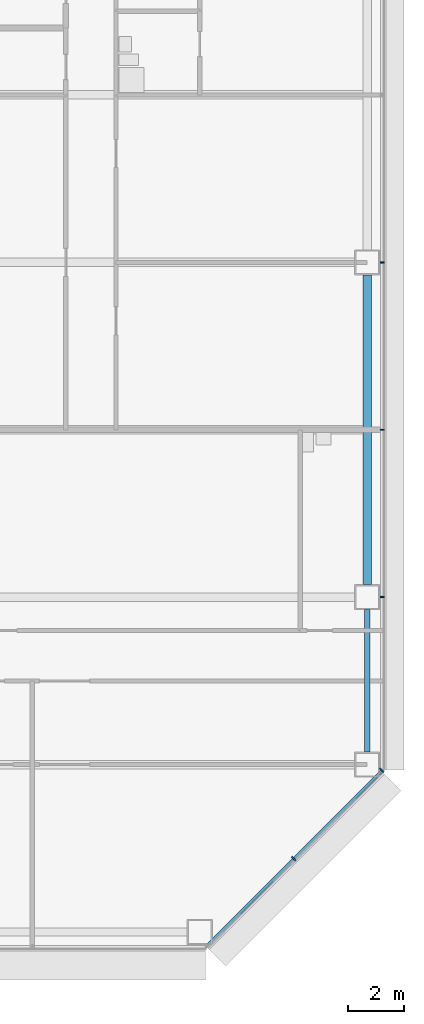
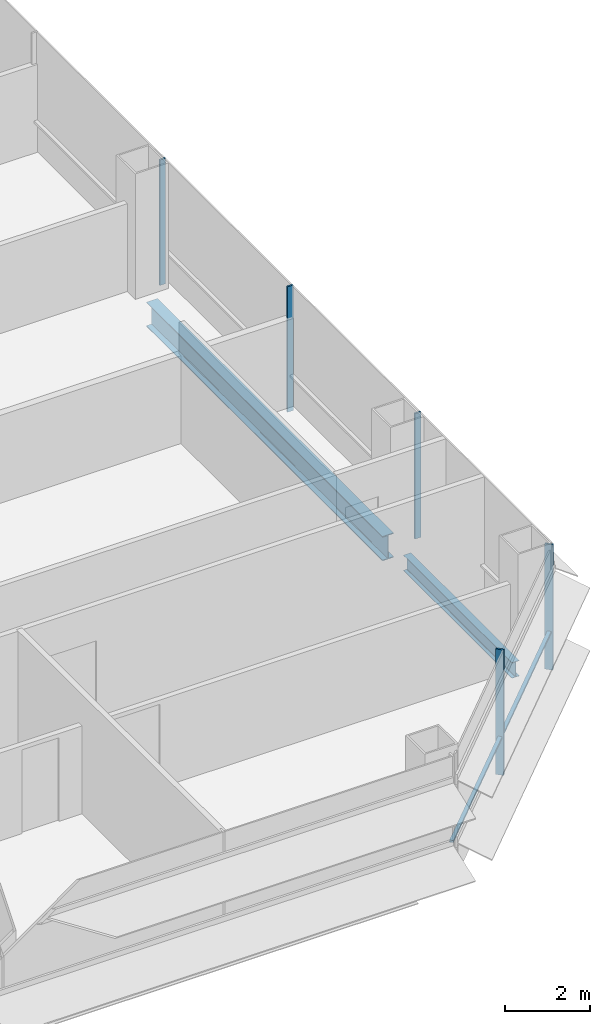
# One storey, part 16 of 27: 6 members, 2 beams, 2 elements without a shape of their own.
"""IFC4 building model written with IfcOpenShell, lengths in metres."""

from ifc_helpers import new_model, si_unit, direction, frame, origin, origin_2d, place, context, subcontext, project, spatial, rectangle, i_section, extrude, material, material_profile, profile_set, type_object, element, aggregate, save


model = new_model("IFC4")

# Units and contexts
model_context = context("Model", 3, precision=1e-05, world=origin(), true_north=direction((0.0, 1.0)))
body_context = subcontext(model_context, "Body", "Model", "MODEL_VIEW")
ifc_project = project(units=[si_unit("LENGTHUNIT", "METRE"), si_unit("AREAUNIT", "SQUARE_METRE"), si_unit("VOLUMEUNIT", "CUBIC_METRE"), si_unit("PLANEANGLEUNIT", "RADIAN"), si_unit("MASSUNIT", "GRAM", prefix="KILO")], contexts=[model_context])

# Site, building, storey
site_placement = place(None, origin())
site = spatial("IfcSite", under=ifc_project, at=site_placement, CompositionType="ELEMENT")
building_placement = place(site_placement, origin())
building = spatial("IfcBuilding", under=site, at=building_placement, Name="Sorahane Residences", CompositionType="ELEMENT")
storey_placement = place(building_placement, frame((0.0, 0.0, 78.60009765625)))
storey = spatial("IfcBuildingStorey", under=building, at=storey_placement, Name="L16", CompositionType="ELEMENT", Elevation=78.60009765625)

# Curtain wall, members
ifc_material_1 = material(Name="Dark low-e glass and black anodised aluminium", Category="aluminium")
curtain_wall_type_1 = type_object("IfcCurtainWallType", Name="Curtain wall CW-1 Typical unitised wall", PredefinedType="NOTDEFINED", material=ifc_material_1)
curtain_wall_1_placement = place(storey_placement, origin())
curtain_wall_1 = element("IfcCurtainWall", 1, at=curtain_wall_1_placement, inside=storey, type_object=curtain_wall_type_1, Name="CW-1 curtain wall L16 E1", PredefinedType="NOTDEFINED")
ifc_material_2 = material(Name="Black anodised aluminium", Category="aluminium")
ifc_material_profile_1 = material_profile(ifc_material_2, rectangle(XDim=0.159912109375, YDim=0.050048828125, at=origin_2d()), Name="Curtain wall mullion CW-1 black anodised aluminium 50x160")
ifc_profile_set_1 = profile_set([ifc_material_profile_1], Name="Black anodised aluminium")
member_type_1 = type_object("IfcMemberType", Name="Curtain wall mullion CW-1 black anodised aluminium 50x160", PredefinedType="MULLION", material=ifc_profile_set_1)
member_1_placement = place(storey_placement, frame((66.5400390625, 12.0, -0.18017578125), z_axis=(0.0, 0.0, 1.0), x_axis=(1.0, 0.0, 0.0)))
member_1 = element("IfcMember", 2, at=member_1_placement, type_object=member_type_1, Name="CW-1 mullion L16 E1.2", PredefinedType="MULLION", context=body_context, shape_type="SweptSolid", body=[
    extrude(rectangle(XDim=0.159912109375, YDim=0.050048828125, at=origin_2d()), origin(), (0.0, 0.0, 1.0), 3.60009765625),
])
member_2_placement = place(storey_placement, frame((66.5400390625, 18.0, -0.18017578125), z_axis=(0.0, 0.0, 1.0), x_axis=(1.0, 0.0, 0.0)))
member_2 = element("IfcMember", 3, at=member_2_placement, type_object=member_type_1, Name="CW-1 mullion L16 E1.3", PredefinedType="MULLION", context=body_context, shape_type="SweptSolid", body=[
    extrude(rectangle(XDim=0.159912109375, YDim=0.050048828125, at=origin_2d()), origin(), (0.0, 0.0, 1.0), 3.60009765625),
])
member_3_placement = place(storey_placement, frame((66.5400390625, 24.0, -0.18017578125), z_axis=(0.0, 0.0, 1.0), x_axis=(1.0, 0.0, 0.0)))
member_3 = element("IfcMember", 4, at=member_3_placement, type_object=member_type_1, Name="CW-1 mullion L16 E1.4", PredefinedType="MULLION", context=body_context, shape_type="SweptSolid", body=[
    extrude(rectangle(XDim=0.159912109375, YDim=0.050048828125, at=origin_2d()), origin(), (0.0, 0.0, 1.0), 3.60009765625),
])
aggregate(curtain_wall_1, [member_1, member_2, member_3])

ifc_material_3 = material(Name="Dark low-e glass and black anodised aluminium", Category="aluminium")
curtain_wall_type_2 = type_object("IfcCurtainWallType", Name="Curtain wall CW-2 Chamfer unitised wall", PredefinedType="NOTDEFINED", material=ifc_material_3)
curtain_wall_2_placement = place(storey_placement, origin())
curtain_wall_2 = element("IfcCurtainWall", 5, at=curtain_wall_2_placement, inside=storey, type_object=curtain_wall_type_2, Name="CW-2 curtain wall L16 SE1", PredefinedType="NOTDEFINED")
ifc_material_4 = material(Name="Black anodised aluminium", Category="aluminium")
ifc_material_profile_2 = material_profile(ifc_material_4, rectangle(XDim=0.199951171875, YDim=0.050048828125, at=origin_2d()), Name="Curtain wall mullion CW-2 black anodised aluminium 50x200")
ifc_profile_set_2 = profile_set([ifc_material_profile_2], Name="Black anodised aluminium")
member_type_2 = type_object("IfcMemberType", Name="Curtain wall mullion CW-2 black anodised aluminium 50x200", PredefinedType="MULLION", material=ifc_profile_set_2)
member_4_placement = place(storey_placement, frame((63.36767578125, 2.63232421875, -0.18017578125), z_axis=(0.0, 0.0, 1.0), x_axis=(0.707106781187, -0.707106781187, 0.0)))
member_4 = element("IfcMember", 6, at=member_4_placement, type_object=member_type_2, Name="CW-2 mullion L16 SE1.2", PredefinedType="MULLION", context=body_context, shape_type="SweptSolid", body=[
    extrude(rectangle(XDim=0.199951171875, YDim=0.050048828125, at=origin_2d()), origin(), (0.0, 0.0, 1.0), 3.60009765625),
])
member_5_placement = place(storey_placement, frame((66.525634765625, 5.790283203125, -0.18017578125), z_axis=(0.0, 0.0, 1.0), x_axis=(0.707106781187, -0.707106781187, 0.0)))
member_5 = element("IfcMember", 7, at=member_5_placement, type_object=member_type_2, Name="CW-2 mullion L16 SE1.3", PredefinedType="MULLION", context=body_context, shape_type="SweptSolid", body=[
    extrude(rectangle(XDim=0.199951171875, YDim=0.050048828125, at=origin_2d()), origin(), (0.0, 0.0, 1.0), 3.60009765625),
])
ifc_material_5 = material(Name="Black anodised aluminium", Category="aluminium")
ifc_material_profile_3 = material_profile(ifc_material_5, rectangle(XDim=0.10009765625, YDim=0.06005859375, at=origin_2d()), Name="Curtain wall transom CW-2 black anodised aluminium 60x100")
ifc_profile_set_3 = profile_set([ifc_material_profile_3], Name="Black anodised aluminium")
member_type_3 = type_object("IfcMemberType", Name="Curtain wall transom CW-2 black anodised aluminium 60x100", PredefinedType="USERDEFINED", material=ifc_profile_set_3)
member_6_placement = place(storey_placement, frame((60.234375, -0.51513671875, 0.89990234375), z_axis=(0.707106781187, 0.707106781187, 0.0), x_axis=(-0.707106781187, 0.707106781187, 0.0)))
member_6 = element("IfcMember", 8, at=member_6_placement, type_object=member_type_3, Name="CW-2 transom L16 SE1", ObjectType="TRANSOM", PredefinedType="USERDEFINED", context=body_context, shape_type="SweptSolid", body=[
    extrude(rectangle(XDim=0.10009765625, YDim=0.06005859375, at=origin_2d()), origin(), (0.0, 0.0, 1.0), 8.88232421875),
])
aggregate(curtain_wall_2, [member_4, member_5, member_6])

# Beams
ifc_material_6 = material(Name="Steel Q355B", Category="steel")
ifc_material_profile_4 = material_profile(ifc_material_6, i_section(OverallWidth=0.199951171875, OverallDepth=0.449951171875, WebThickness=0.009033203125, FlangeThickness=0.013916015625, FilletRadius=0.02001953125, at=origin_2d()), Name="HN 450x200x9x14")
ifc_profile_set_4 = profile_set([ifc_material_profile_4], Name="Steel Q355B")
beam_type_1 = type_object("IfcBeamType", Name="Steel floor beam HN 450x200x9x14 Q355B", PredefinedType="BEAM", material=ifc_profile_set_4)
beam_1_placement = place(storey_placement, frame((66.0, 6.449951171875, -0.405029296875), z_axis=(0.0, 1.0, 0.0), x_axis=(-1.0, 0.0, 0.0)))
element("IfcBeam", 9, at=beam_1_placement, inside=storey, type_object=beam_type_1, Name="Beam L16 057", PredefinedType="BEAM", context=body_context, shape_type="SweptSolid", body=[
    extrude(i_section(OverallWidth=0.199951171875, OverallDepth=0.449951171875, WebThickness=0.009033203125, FlangeThickness=0.013916015625, FilletRadius=0.02001953125, at=origin_2d()), origin(), (0.0, 0.0, 1.0), 5.10009765625),
])
ifc_material_7 = material(Name="Steel Q355B", Category="steel")
ifc_material_profile_5 = material_profile(ifc_material_7, i_section(OverallWidth=0.300048828125, OverallDepth=0.699951171875, WebThickness=0.012939453125, FlangeThickness=0.02392578125, FilletRadius=0.028076171875, at=origin_2d()), Name="HN 700x300x13x24")
ifc_profile_set_5 = profile_set([ifc_material_profile_5], Name="Steel Q355B")
beam_type_2 = type_object("IfcBeamType", Name="Steel floor beam HN 700x300x13x24 Q355B", PredefinedType="BEAM", material=ifc_profile_set_5)
beam_2_placement = place(storey_placement, frame((66.0, 12.449951171875, -0.530029296875), z_axis=(0.0, 1.0, 0.0), x_axis=(-1.0, 0.0, 0.0)))
element("IfcBeam", 10, at=beam_2_placement, inside=storey, type_object=beam_type_2, Name="Beam L16 058", PredefinedType="BEAM", context=body_context, shape_type="SweptSolid", body=[
    extrude(i_section(OverallWidth=0.300048828125, OverallDepth=0.699951171875, WebThickness=0.012939453125, FlangeThickness=0.02392578125, FilletRadius=0.028076171875, at=origin_2d()), origin(), (0.0, 0.0, 1.0), 11.10009765625),
])

save(model, "model.ifc")
